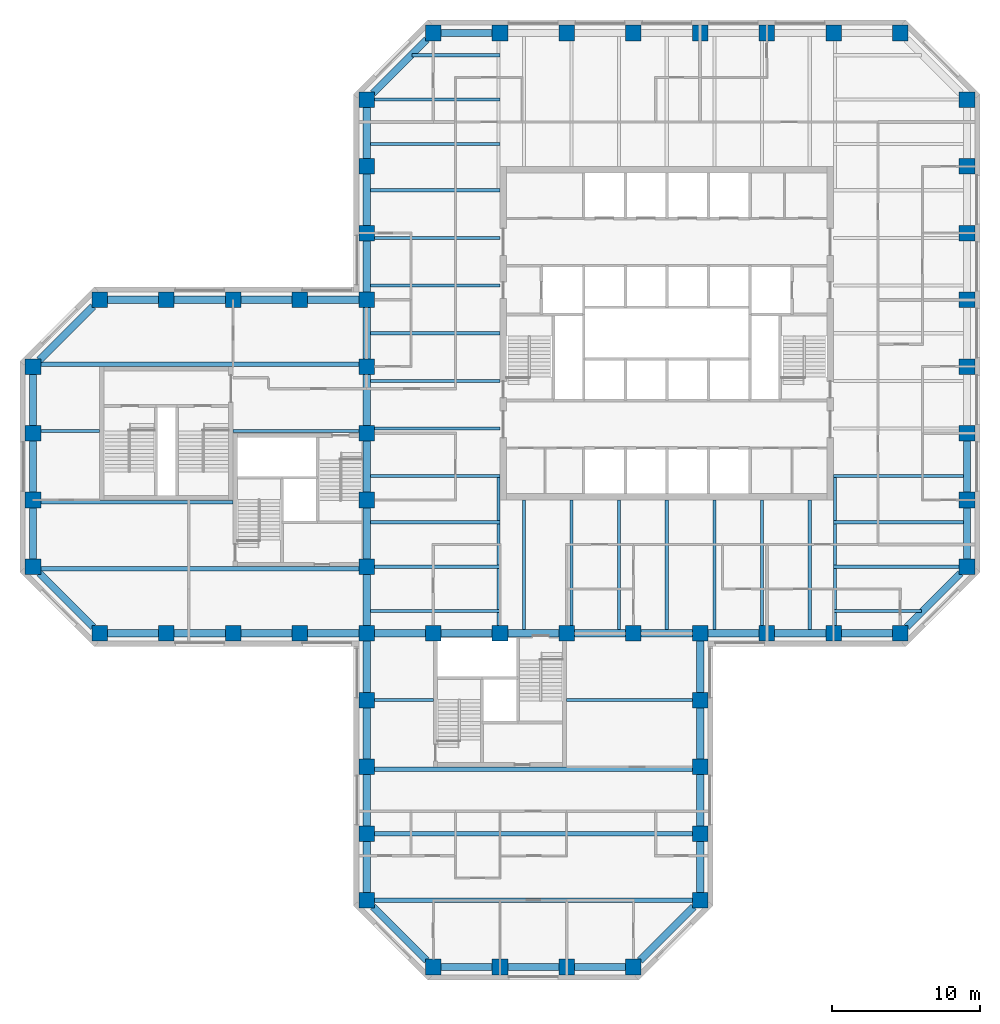
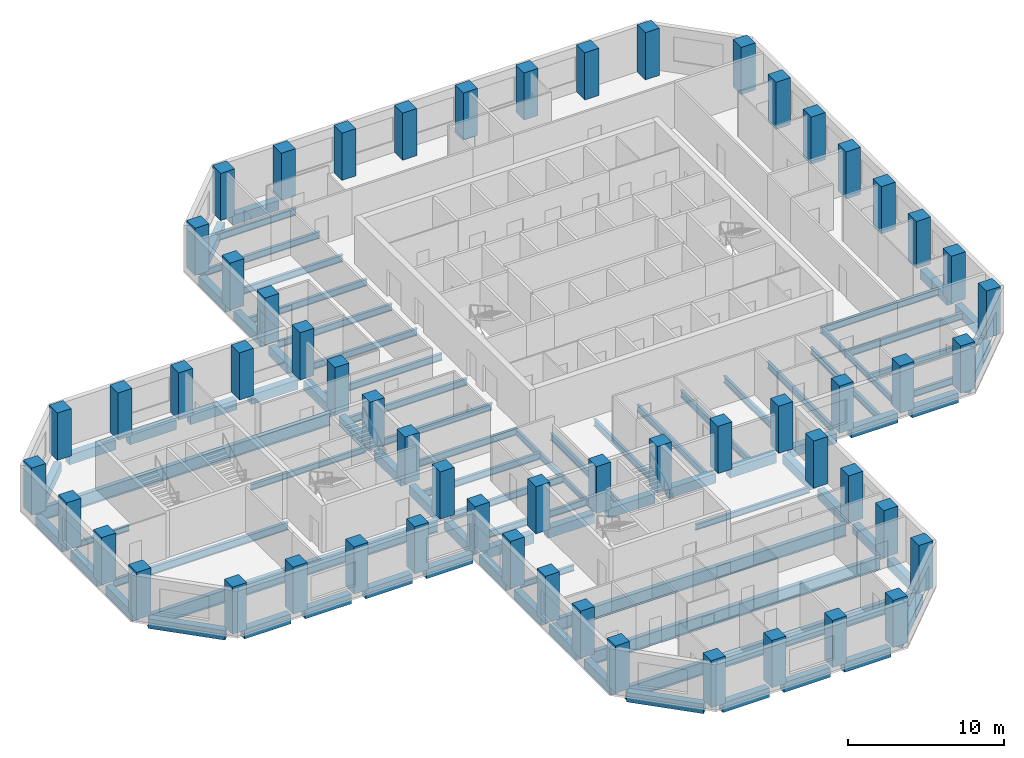
# One storey, part 1 of 11: 83 beams, 57 columns.
"""IFC4 building model written with IfcOpenShell, lengths in metres."""

from ifc_helpers import new_model, si_unit, direction, frame, origin, origin_2d, place, context, subcontext, project, spatial, rectangle, i_section, extrude, material, material_profile, profile_set, type_object, element, save


model = new_model("IFC4")

# Units and contexts
model_context = context("Model", 3, precision=1e-05, world=origin(), true_north=direction((0.0, 1.0)))
body_context = subcontext(model_context, "Body", "Model", "MODEL_VIEW")
ifc_project = project(units=[si_unit("LENGTHUNIT", "METRE"), si_unit("AREAUNIT", "SQUARE_METRE"), si_unit("VOLUMEUNIT", "CUBIC_METRE"), si_unit("PLANEANGLEUNIT", "RADIAN"), si_unit("MASSUNIT", "GRAM", prefix="KILO")], contexts=[model_context])

# Site, building, storey
site_placement = place(None, origin())
site = spatial("IfcSite", under=ifc_project, at=site_placement, CompositionType="ELEMENT")
building_placement = place(site_placement, origin())
building = spatial("IfcBuilding", under=site, at=building_placement, Name="Quoin Convention Tower", CompositionType="ELEMENT")
storey_placement = place(building_placement, frame((0.0, 0.0, 134.39990234375)))
storey = spatial("IfcBuildingStorey", under=building, at=storey_placement, Name="L35", CompositionType="ELEMENT", Elevation=134.39990234375)

# Columns
ifc_material_1 = material(Name="Concrete C65", Category="concrete")
ifc_material_profile_1 = material_profile(ifc_material_1, rectangle(XDim=1.050048828125, YDim=1.050048828125, at=origin_2d()), Name="RC 1050x1050")
ifc_profile_set_1 = profile_set([ifc_material_profile_1], Name="Concrete C65")
column_type = type_object("IfcColumnType", Name="RC 1050x1050 C65", PredefinedType="COLUMN", material=ifc_profile_set_1)
for number, where, z_axis, x_axis, name in (
    (1, (40.5, 18.0, 0.0), (0.0, 0.0, 1.0), (1.0, 0.0, 0.0), "col-L35-40500_18000"),
    (2, (45.0, 18.0, 0.0), (0.0, 0.0, 1.0), (1.0, 0.0, 0.0), "col-L35-45000_18000"),
    (3, (49.5, 18.0, 0.0), (0.0, 0.0, 1.0), (1.0, 0.0, 0.0), "col-L35-49500_18000"),
    (4, (54.0, 18.0, 0.0), (0.0, 0.0, 1.0), (1.0, 0.0, 0.0), "col-L35-54000_18000"),
    (5, (36.0, 22.5, 0.0), (0.0, 0.0, 1.0), (1.0, 0.0, 0.0), "col-L35-36000_22500"),
    (6, (58.5, 22.5, 0.0), (0.0, 0.0, 1.0), (1.0, 0.0, 0.0), "col-L35-58500_22500"),
    (7, (36.0, 27.0, 0.0), (0.0, 0.0, 1.0), (1.0, 0.0, 0.0), "col-L35-36000_27000"),
    (8, (58.5, 27.0, 0.0), (0.0, 0.0, 1.0), (1.0, 0.0, 0.0), "col-L35-58500_27000"),
    (9, (36.0, 31.5, 0.0), (0.0, 0.0, 1.0), (1.0, 0.0, 0.0), "col-L35-36000_31500"),
    (10, (58.5, 31.5, 0.0), (0.0, 0.0, 1.0), (1.0, 0.0, 0.0), "col-L35-58500_31500"),
    (11, (36.0, 36.0, 0.0), (0.0, 0.0, 1.0), (1.0, 0.0, 0.0), "col-L35-36000_36000"),
    (12, (58.5, 36.0, 0.0), (0.0, 0.0, 1.0), (1.0, 0.0, 0.0), "col-L35-58500_36000"),
    (13, (18.0, 40.5, 0.0), (0.0, 0.0, 1.0), (1.0, 0.0, 0.0), "col-L35-18000_40500"),
    (14, (22.5, 40.5, 0.0), (0.0, 0.0, 1.0), (1.0, 0.0, 0.0), "col-L35-22500_40500"),
    (15, (27.0, 40.5, 0.0), (0.0, 0.0, 1.0), (1.0, 0.0, 0.0), "col-L35-27000_40500"),
    (16, (31.5, 40.5, 0.0), (0.0, 0.0, 1.0), (1.0, 0.0, 0.0), "col-L35-31500_40500"),
    (17, (36.0, 40.5, 0.0), (0.0, 0.0, 1.0), (1.0, 0.0, 0.0), "col-L35-36000_40500"),
    (18, (40.5, 40.5, 0.0), (0.0, 0.0, 1.0), (1.0, 0.0, 0.0), "web-L35-40500_40500"),
    (19, (45.0, 40.5, 0.0), (0.0, 0.0, 1.0), (1.0, 0.0, 0.0), "web-L35-45000_40500"),
    (20, (49.5, 40.5, 0.0), (0.0, 0.0, 1.0), (1.0, 0.0, 0.0), "web-L35-49500_40500"),
    (21, (54.0, 40.5, 0.0), (0.0, 0.0, 1.0), (1.0, 0.0, 0.0), "web-L35-54000_40500"),
    (22, (58.5, 40.5, 0.0), (0.0, 0.0, 1.0), (1.0, 0.0, 0.0), "col-L35-58500_40500"),
    (23, (63.0, 40.5, 0.0), (0.0, 0.0, 1.0), (1.0, 0.0, 0.0), "col-L35-63000_40500"),
    (24, (67.5, 40.5, 0.0), (0.0, 0.0, 1.0), (1.0, 0.0, 0.0), "col-L35-67500_40500"),
    (25, (72.0, 40.5, 0.0), (0.0, 0.0, 1.0), (1.0, 0.0, 0.0), "col-L35-72000_40500"),
    (26, (13.5, 45.0, 0.0), (0.0, 0.0, 1.0), (1.0, 0.0, 0.0), "col-L35-13500_45000"),
    (27, (36.0, 45.0, 0.0), (0.0, 0.0, 1.0), (1.0, 0.0, 0.0), "web-L35-36000_45000"),
    (28, (76.5, 45.0, 0.0), (0.0, 0.0, 1.0), (1.0, 0.0, 0.0), "col-L35-76500_45000"),
    (29, (13.5, 49.5, 0.0), (0.0, 0.0, 1.0), (1.0, 0.0, 0.0), "col-L35-13500_49500"),
    (30, (36.0, 49.5, 0.0), (0.0, 0.0, 1.0), (1.0, 0.0, 0.0), "web-L35-36000_49500"),
    (31, (76.5, 49.5, 0.0), (0.0, 0.0, 1.0), (1.0, 0.0, 0.0), "col-L35-76500_49500"),
    (32, (13.5, 54.0, 0.0), (0.0, 0.0, 1.0), (1.0, 0.0, 0.0), "col-L35-13500_54000"),
    (33, (36.0, 54.0, 0.0), (0.0, 0.0, 1.0), (1.0, 0.0, 0.0), "web-L35-36000_54000"),
    (34, (76.5, 54.0, 0.0), (0.0, 0.0, 1.0), (1.0, 0.0, 0.0), "col-L35-76500_54000"),
    (35, (13.5, 58.5, 0.0), (0.0, 0.0, 1.0), (1.0, 0.0, 0.0), "col-L35-13500_58500"),
    (36, (36.0, 58.5, 0.0), (0.0, 0.0, 1.0), (1.0, 0.0, 0.0), "web-L35-36000_58500"),
    (37, (76.5, 58.5, 0.0), (0.0, 0.0, 1.0), (1.0, 0.0, 0.0), "col-L35-76500_58500"),
    (38, (18.0, 63.0, 0.0), (0.0, 0.0, 1.0), (1.0, 0.0, 0.0), "col-L35-18000_63000"),
    (39, (22.5, 63.0, 0.0), (0.0, 0.0, 1.0), (1.0, 0.0, 0.0), "col-L35-22500_63000"),
    (40, (27.0, 63.0, 0.0), (0.0, 0.0, 1.0), (1.0, 0.0, 0.0), "col-L35-27000_63000"),
    (41, (31.5, 63.0, 0.0), (0.0, 0.0, 1.0), (1.0, 0.0, 0.0), "col-L35-31500_63000"),
    (42, (36.0, 63.0, 0.0), (0.0, 0.0, 1.0), (1.0, 0.0, 0.0), "col-L35-36000_63000"),
    (43, (76.5, 63.0, 0.0), (0.0, 0.0, 1.0), (1.0, 0.0, 0.0), "col-L35-76500_63000"),
    (44, (36.0, 67.5, 0.0), (0.0, 0.0, 1.0), (1.0, 0.0, 0.0), "col-L35-36000_67500"),
    (45, (76.5, 67.5, 0.0), (0.0, 0.0, 1.0), (1.0, 0.0, 0.0), "col-L35-76500_67500"),
    (46, (36.0, 72.0, 0.0), (0.0, 0.0, 1.0), (1.0, 0.0, 0.0), "col-L35-36000_72000"),
    (47, (76.5, 72.0, 0.0), (0.0, 0.0, 1.0), (1.0, 0.0, 0.0), "col-L35-76500_72000"),
    (48, (36.0, 76.5, 0.0), (0.0, 0.0, 1.0), (1.0, 0.0, 0.0), "col-L35-36000_76500"),
    (49, (76.5, 76.5, 0.0), (0.0, 0.0, 1.0), (1.0, 0.0, 0.0), "col-L35-76500_76500"),
    (50, (40.5, 81.0, 0.0), (0.0, 0.0, 1.0), (1.0, 0.0, 0.0), "col-L35-40500_81000"),
    (51, (45.0, 81.0, 0.0), (0.0, 0.0, 1.0), (1.0, 0.0, 0.0), "col-L35-45000_81000"),
    (52, (49.5, 81.0, 0.0), (0.0, 0.0, 1.0), (1.0, 0.0, 0.0), "col-L35-49500_81000"),
    (53, (54.0, 81.0, 0.0), (0.0, 0.0, 1.0), (1.0, 0.0, 0.0), "col-L35-54000_81000"),
    (54, (58.5, 81.0, 0.0), (0.0, 0.0, 1.0), (1.0, 0.0, 0.0), "col-L35-58500_81000"),
    (55, (63.0, 81.0, 0.0), (0.0, 0.0, 1.0), (1.0, 0.0, 0.0), "col-L35-63000_81000"),
    (56, (67.5, 81.0, 0.0), (0.0, 0.0, 1.0), (1.0, 0.0, 0.0), "col-L35-67500_81000"),
    (57, (72.0, 81.0, 0.0), (0.0, 0.0, 1.0), (1.0, 0.0, 0.0), "col-L35-72000_81000"),
):
    element("IfcColumn", number, at=place(storey_placement, frame(where, z_axis=z_axis, x_axis=x_axis)), inside=storey, type_object=column_type, Name=name, PredefinedType="COLUMN", context=body_context, shape_type="SweptSolid", body=[
        extrude(rectangle(XDim=1.050048828125, YDim=1.050048828125, at=origin_2d()), origin(), (0.0, 0.0, 1.0), 3.7001953125),
    ])

# Beams
ifc_material_2 = material(Name="Steel Grade 300", Category="steel")
ifc_material_profile_2 = material_profile(ifc_material_2, i_section(OverallWidth=0.300048828125, OverallDepth=1.0, WebThickness=0.01611328125, FlangeThickness=0.02001953125, at=origin_2d()), Name="1000WB215")
ifc_profile_set_2 = profile_set([ifc_material_profile_2], Name="Steel Grade 300")
beam_type_1 = type_object("IfcBeamType", Name="1000WB215", PredefinedType="BEAM", material=ifc_profile_set_2)
for number, where, z_axis, x_axis, name in (
    (58, (36.52490234375, 22.5, -0.64990234375), (1.0, 0.0, 0.0), (0.0, 1.0, 0.0), "gir-L35-ST3-1-0"),
    (59, (36.52490234375, 27.0, -0.64990234375), (1.0, 0.0, 0.0), (0.0, 1.0, 0.0), "gir-L35-ST3-2-0"),
    (60, (36.52490234375, 31.35009765625, -0.64990234375), (1.0, 0.0, 0.0), (0.0, 1.0, 0.0), "gir-L35-ST3-3-0"),
    (61, (14.02490234375, 44.85009765625, -0.64990234375), (1.0, 0.0, 0.0), (0.0, 1.0, 0.0), "gir-L35-ST2-1-0"),
    (62, (14.02490234375, 58.64990234375, -0.64990234375), (1.0, 0.0, 0.0), (0.0, 1.0, 0.0), "gir-L35-ST2-4-0"),
):
    element("IfcBeam", number, at=place(storey_placement, frame(where, z_axis=z_axis, x_axis=x_axis)), inside=storey, type_object=beam_type_1, Name=name, PredefinedType="BEAM", context=body_context, shape_type="SweptSolid", body=[
        extrude(i_section(OverallWidth=0.300048828125, OverallDepth=1.0, WebThickness=0.01611328125, FlangeThickness=0.02001953125, at=origin_2d()), origin(), (0.0, 0.0, 1.0), 21.4501953125),
    ])
ifc_material_profile_3 = material_profile(ifc_material_2, i_section(OverallWidth=0.18994140625, OverallDepth=0.4541015625, WebThickness=0.008544921875, FlangeThickness=0.0126953125, FilletRadius=0.011474609375, at=origin_2d()), Name="460UB67.1")
ifc_profile_set_3 = profile_set([ifc_material_profile_3], Name="Steel Grade 300")
beam_type_2 = type_object("IfcBeamType", Name="460UB67.1", PredefinedType="BEAM", material=ifc_profile_set_3)
for number, where, z_axis, x_axis, name in (
    (63, (44.8955078125, 41.02490234375, -0.376953125), (0.0, 1.0, 0.0), (-1.0, 0.0, 0.0), "gir-L35-T1SW"),
    (64, (67.6044921875, 41.02490234375, -0.376953125), (0.0, 1.0, 0.0), (-1.0, 0.0, 0.0), "gir-L35-T1SE"),
):
    element("IfcBeam", number, at=place(storey_placement, frame(where, z_axis=z_axis, x_axis=x_axis)), inside=storey, type_object=beam_type_2, Name=name, PredefinedType="BEAM", context=body_context, shape_type="SweptSolid", body=[
        extrude(i_section(OverallWidth=0.18994140625, OverallDepth=0.4541015625, WebThickness=0.008544921875, FlangeThickness=0.0126953125, FilletRadius=0.011474609375, at=origin_2d()), origin(), (0.0, 0.0, 1.0), 9.977783203125),
    ])
beam_1_placement = place(storey_placement, frame((36.52490234375, 36.0, -0.376953125), z_axis=(1.0, 0.0, 0.0), x_axis=(0.0, 1.0, 0.0)))
element("IfcBeam", 65, at=beam_1_placement, inside=storey, type_object=beam_type_2, Name="gir-L35-ST3-4-0", PredefinedType="BEAM", context=body_context, shape_type="SweptSolid", body=[
    extrude(i_section(OverallWidth=0.18994140625, OverallDepth=0.4541015625, WebThickness=0.008544921875, FlangeThickness=0.0126953125, FilletRadius=0.011474609375, at=origin_2d()), origin(), (0.0, 0.0, 1.0), 3.97509765625),
])
beam_2_placement = place(storey_placement, frame((49.5, 36.0, -0.376953125), z_axis=(1.0, 0.0, 0.0), x_axis=(0.0, 1.0, 0.0)))
element("IfcBeam", 66, at=beam_2_placement, inside=storey, type_object=beam_type_2, Name="gir-L35-ST3-4-1", PredefinedType="BEAM", context=body_context, shape_type="SweptSolid", body=[
    extrude(i_section(OverallWidth=0.18994140625, OverallDepth=0.4541015625, WebThickness=0.008544921875, FlangeThickness=0.0126953125, FilletRadius=0.011474609375, at=origin_2d()), origin(), (0.0, 0.0, 1.0), 8.47509765625),
])
beam_3_placement = place(storey_placement, frame((14.02490234375, 54.14990234375, -0.376953125), z_axis=(1.0, 0.0, 0.0), x_axis=(0.0, 1.0, 0.0)))
element("IfcBeam", 67, at=beam_3_placement, inside=storey, type_object=beam_type_2, Name="gir-L35-ST2-3-0", PredefinedType="BEAM", context=body_context, shape_type="SweptSolid", body=[
    extrude(i_section(OverallWidth=0.18994140625, OverallDepth=0.4541015625, WebThickness=0.008544921875, FlangeThickness=0.0126953125, FilletRadius=0.011474609375, at=origin_2d()), origin(), (0.0, 0.0, 1.0), 3.97509765625),
])
beam_4_placement = place(storey_placement, frame((27.0, 54.14990234375, -0.376953125), z_axis=(1.0, 0.0, 0.0), x_axis=(0.0, 1.0, 0.0)))
element("IfcBeam", 68, at=beam_4_placement, inside=storey, type_object=beam_type_2, Name="gir-L35-ST2-3-1", PredefinedType="BEAM", context=body_context, shape_type="SweptSolid", body=[
    extrude(i_section(OverallWidth=0.18994140625, OverallDepth=0.4541015625, WebThickness=0.008544921875, FlangeThickness=0.0126953125, FilletRadius=0.011474609375, at=origin_2d()), origin(), (0.0, 0.0, 1.0), 8.47509765625),
])
ifc_material_profile_4 = material_profile(ifc_material_2, i_section(OverallWidth=0.208984375, OverallDepth=0.528076171875, WebThickness=0.009521484375, FlangeThickness=0.01318359375, FilletRadius=0.013916015625, at=origin_2d()), Name="530UB82.0")
ifc_profile_set_4 = profile_set([ifc_material_profile_4], Name="Steel Grade 300")
beam_type_3 = type_object("IfcBeamType", Name="530UB82.0", PredefinedType="BEAM", material=ifc_profile_set_4)
beam_5_placement = place(storey_placement, frame((36.25, 51.107177734375, -0.413818359375), z_axis=(1.0, 0.0, 0.0), x_axis=(0.0, 1.0, 0.0)))
element("IfcBeam", 69, at=beam_5_placement, inside=storey, type_object=beam_type_3, Name="bm-L35-T1W0", PredefinedType="BEAM", context=body_context, shape_type="SweptSolid", body=[
    extrude(i_section(OverallWidth=0.208984375, OverallDepth=0.528076171875, WebThickness=0.009521484375, FlangeThickness=0.01318359375, FilletRadius=0.013916015625, at=origin_2d()), origin(), (0.0, 0.0, 1.0), 8.75),
])
beam_6_placement = place(storey_placement, frame((36.52490234375, 54.3212890625, -0.413818359375), z_axis=(1.0, 0.0, 0.0), x_axis=(0.0, 1.0, 0.0)))
element("IfcBeam", 70, at=beam_6_placement, inside=storey, type_object=beam_type_3, Name="bm-L35-T1W1", PredefinedType="BEAM", context=body_context, shape_type="SweptSolid", body=[
    extrude(i_section(OverallWidth=0.208984375, OverallDepth=0.528076171875, WebThickness=0.009521484375, FlangeThickness=0.01318359375, FilletRadius=0.013916015625, at=origin_2d()), origin(), (0.0, 0.0, 1.0), 8.47509765625),
])
for number, where, z_axis, x_axis, name in (
    (71, (36.25, 57.53564453125, -0.413818359375), (1.0, 0.0, 0.0), (0.0, 1.0, 0.0), "bm-L35-T1W2"),
    (72, (36.25, 60.75, -0.413818359375), (1.0, 0.0, 0.0), (0.0, 1.0, 0.0), "bm-L35-T1W3"),
    (73, (36.25, 63.96435546875, -0.413818359375), (1.0, 0.0, 0.0), (0.0, 1.0, 0.0), "bm-L35-T1W4"),
):
    element("IfcBeam", number, at=place(storey_placement, frame(where, z_axis=z_axis, x_axis=x_axis)), inside=storey, type_object=beam_type_3, Name=name, PredefinedType="BEAM", context=body_context, shape_type="SweptSolid", body=[
        extrude(i_section(OverallWidth=0.208984375, OverallDepth=0.528076171875, WebThickness=0.009521484375, FlangeThickness=0.01318359375, FilletRadius=0.013916015625, at=origin_2d()), origin(), (0.0, 0.0, 1.0), 8.75),
    ])
beam_7_placement = place(storey_placement, frame((36.52490234375, 67.1787109375, -0.413818359375), z_axis=(1.0, 0.0, 0.0), x_axis=(0.0, 1.0, 0.0)))
element("IfcBeam", 74, at=beam_7_placement, inside=storey, type_object=beam_type_3, Name="bm-L35-T1W5", PredefinedType="BEAM", context=body_context, shape_type="SweptSolid", body=[
    extrude(i_section(OverallWidth=0.208984375, OverallDepth=0.528076171875, WebThickness=0.009521484375, FlangeThickness=0.01318359375, FilletRadius=0.013916015625, at=origin_2d()), origin(), (0.0, 0.0, 1.0), 8.47509765625),
])
for number, where, z_axis, x_axis, name in (
    (75, (36.25, 70.392822265625, -0.413818359375), (1.0, 0.0, 0.0), (0.0, 1.0, 0.0), "bm-L35-T1W6"),
    (76, (67.5, 51.107177734375, -0.413818359375), (1.0, 0.0, 0.0), (0.0, 1.0, 0.0), "bm-L35-T1E0"),
    (77, (46.607177734375, 40.75, -0.413818359375), (0.0, 1.0, 0.0), (-1.0, 0.0, 0.0), "bm-L35-T1S0"),
):
    element("IfcBeam", number, at=place(storey_placement, frame(where, z_axis=z_axis, x_axis=x_axis)), inside=storey, type_object=beam_type_3, Name=name, PredefinedType="BEAM", context=body_context, shape_type="SweptSolid", body=[
        extrude(i_section(OverallWidth=0.208984375, OverallDepth=0.528076171875, WebThickness=0.009521484375, FlangeThickness=0.01318359375, FilletRadius=0.013916015625, at=origin_2d()), origin(), (0.0, 0.0, 1.0), 8.75),
    ])
beam_8_placement = place(storey_placement, frame((49.8212890625, 41.02490234375, -0.413818359375), z_axis=(0.0, 1.0, 0.0), x_axis=(-1.0, 0.0, 0.0)))
element("IfcBeam", 78, at=beam_8_placement, inside=storey, type_object=beam_type_3, Name="bm-L35-T1S1", PredefinedType="BEAM", context=body_context, shape_type="SweptSolid", body=[
    extrude(i_section(OverallWidth=0.208984375, OverallDepth=0.528076171875, WebThickness=0.009521484375, FlangeThickness=0.01318359375, FilletRadius=0.013916015625, at=origin_2d()), origin(), (0.0, 0.0, 1.0), 8.47509765625),
])
for number, where, z_axis, x_axis, name in (
    (79, (53.03564453125, 40.75, -0.413818359375), (0.0, 1.0, 0.0), (-1.0, 0.0, 0.0), "bm-L35-T1S2"),
    (80, (56.25, 40.75, -0.413818359375), (0.0, 1.0, 0.0), (-1.0, 0.0, 0.0), "bm-L35-T1S3"),
    (81, (59.46435546875, 40.75, -0.413818359375), (0.0, 1.0, 0.0), (-1.0, 0.0, 0.0), "bm-L35-T1S4"),
):
    element("IfcBeam", number, at=place(storey_placement, frame(where, z_axis=z_axis, x_axis=x_axis)), inside=storey, type_object=beam_type_3, Name=name, PredefinedType="BEAM", context=body_context, shape_type="SweptSolid", body=[
        extrude(i_section(OverallWidth=0.208984375, OverallDepth=0.528076171875, WebThickness=0.009521484375, FlangeThickness=0.01318359375, FilletRadius=0.013916015625, at=origin_2d()), origin(), (0.0, 0.0, 1.0), 8.75),
    ])
beam_9_placement = place(storey_placement, frame((62.6787109375, 41.02490234375, -0.413818359375), z_axis=(0.0, 1.0, 0.0), x_axis=(-1.0, 0.0, 0.0)))
element("IfcBeam", 82, at=beam_9_placement, inside=storey, type_object=beam_type_3, Name="bm-L35-T1S5", PredefinedType="BEAM", context=body_context, shape_type="SweptSolid", body=[
    extrude(i_section(OverallWidth=0.208984375, OverallDepth=0.528076171875, WebThickness=0.009521484375, FlangeThickness=0.01318359375, FilletRadius=0.013916015625, at=origin_2d()), origin(), (0.0, 0.0, 1.0), 8.47509765625),
])
for number, where, z_axis, x_axis, name in (
    (83, (65.892822265625, 40.75, -0.413818359375), (0.0, 1.0, 0.0), (-1.0, 0.0, 0.0), "bm-L35-T1S6"),
    (84, (36.25, 42.0, -0.413818359375), (1.0, 0.0, 0.0), (0.0, 1.0, 0.0), "bm-L35-T1SW0"),
):
    element("IfcBeam", number, at=place(storey_placement, frame(where, z_axis=z_axis, x_axis=x_axis)), inside=storey, type_object=beam_type_3, Name=name, PredefinedType="BEAM", context=body_context, shape_type="SweptSolid", body=[
        extrude(i_section(OverallWidth=0.208984375, OverallDepth=0.528076171875, WebThickness=0.009521484375, FlangeThickness=0.01318359375, FilletRadius=0.013916015625, at=origin_2d()), origin(), (0.0, 0.0, 1.0), 8.75),
    ])
beam_10_placement = place(storey_placement, frame((36.52490234375, 45.0, -0.413818359375), z_axis=(1.0, 0.0, 0.0), x_axis=(0.0, 1.0, 0.0)))
element("IfcBeam", 85, at=beam_10_placement, inside=storey, type_object=beam_type_3, Name="bm-L35-T1SW1", PredefinedType="BEAM", context=body_context, shape_type="SweptSolid", body=[
    extrude(i_section(OverallWidth=0.208984375, OverallDepth=0.528076171875, WebThickness=0.009521484375, FlangeThickness=0.01318359375, FilletRadius=0.013916015625, at=origin_2d()), origin(), (0.0, 0.0, 1.0), 8.47509765625),
])
beam_11_placement = place(storey_placement, frame((36.25, 48.0, -0.413818359375), z_axis=(1.0, 0.0, 0.0), x_axis=(0.0, 1.0, 0.0)))
element("IfcBeam", 86, at=beam_11_placement, inside=storey, type_object=beam_type_3, Name="bm-L35-T1SW2", PredefinedType="BEAM", context=body_context, shape_type="SweptSolid", body=[
    extrude(i_section(OverallWidth=0.208984375, OverallDepth=0.528076171875, WebThickness=0.009521484375, FlangeThickness=0.01318359375, FilletRadius=0.013916015625, at=origin_2d()), origin(), (0.0, 0.0, 1.0), 8.75),
])
beam_12_placement = place(storey_placement, frame((67.5, 42.0, -0.413818359375), z_axis=(1.0, 0.0, 0.0), x_axis=(0.0, 1.0, 0.0)))
element("IfcBeam", 87, at=beam_12_placement, inside=storey, type_object=beam_type_3, Name="bm-L35-T1SE0", PredefinedType="BEAM", context=body_context, shape_type="SweptSolid", body=[
    extrude(i_section(OverallWidth=0.208984375, OverallDepth=0.528076171875, WebThickness=0.009521484375, FlangeThickness=0.01318359375, FilletRadius=0.013916015625, at=origin_2d()), origin(), (0.0, 0.0, 1.0), 5.927734375),
])
beam_13_placement = place(storey_placement, frame((67.5, 45.0, -0.413818359375), z_axis=(1.0, 0.0, 0.0), x_axis=(0.0, 1.0, 0.0)))
element("IfcBeam", 88, at=beam_13_placement, inside=storey, type_object=beam_type_3, Name="bm-L35-T1SE1", PredefinedType="BEAM", context=body_context, shape_type="SweptSolid", body=[
    extrude(i_section(OverallWidth=0.208984375, OverallDepth=0.528076171875, WebThickness=0.009521484375, FlangeThickness=0.01318359375, FilletRadius=0.013916015625, at=origin_2d()), origin(), (0.0, 0.0, 1.0), 8.47509765625),
])
beam_14_placement = place(storey_placement, frame((67.5, 48.0, -0.413818359375), z_axis=(1.0, 0.0, 0.0), x_axis=(0.0, 1.0, 0.0)))
element("IfcBeam", 89, at=beam_14_placement, inside=storey, type_object=beam_type_3, Name="bm-L35-T1SE2", PredefinedType="BEAM", context=body_context, shape_type="SweptSolid", body=[
    extrude(i_section(OverallWidth=0.208984375, OverallDepth=0.528076171875, WebThickness=0.009521484375, FlangeThickness=0.01318359375, FilletRadius=0.013916015625, at=origin_2d()), origin(), (0.0, 0.0, 1.0), 8.75),
])
beam_15_placement = place(storey_placement, frame((39.072265625, 79.5, -0.413818359375), z_axis=(1.0, 0.0, 0.0), x_axis=(0.0, 1.0, 0.0)))
element("IfcBeam", 90, at=beam_15_placement, inside=storey, type_object=beam_type_3, Name="bm-L35-T1NW0", PredefinedType="BEAM", context=body_context, shape_type="SweptSolid", body=[
    extrude(i_section(OverallWidth=0.208984375, OverallDepth=0.528076171875, WebThickness=0.009521484375, FlangeThickness=0.01318359375, FilletRadius=0.013916015625, at=origin_2d()), origin(), (0.0, 0.0, 1.0), 5.927734375),
])
beam_16_placement = place(storey_placement, frame((36.52490234375, 76.5, -0.413818359375), z_axis=(1.0, 0.0, 0.0), x_axis=(0.0, 1.0, 0.0)))
element("IfcBeam", 91, at=beam_16_placement, inside=storey, type_object=beam_type_3, Name="bm-L35-T1NW1", PredefinedType="BEAM", context=body_context, shape_type="SweptSolid", body=[
    extrude(i_section(OverallWidth=0.208984375, OverallDepth=0.528076171875, WebThickness=0.009521484375, FlangeThickness=0.01318359375, FilletRadius=0.013916015625, at=origin_2d()), origin(), (0.0, 0.0, 1.0), 8.47509765625),
])
beam_17_placement = place(storey_placement, frame((36.25, 73.5, -0.413818359375), z_axis=(1.0, 0.0, 0.0), x_axis=(0.0, 1.0, 0.0)))
element("IfcBeam", 92, at=beam_17_placement, inside=storey, type_object=beam_type_3, Name="bm-L35-T1NW2", PredefinedType="BEAM", context=body_context, shape_type="SweptSolid", body=[
    extrude(i_section(OverallWidth=0.208984375, OverallDepth=0.528076171875, WebThickness=0.009521484375, FlangeThickness=0.01318359375, FilletRadius=0.013916015625, at=origin_2d()), origin(), (0.0, 0.0, 1.0), 8.75),
])
ifc_material_profile_5 = material_profile(ifc_material_2, i_section(OverallWidth=0.22802734375, OverallDepth=0.60205078125, WebThickness=0.010498046875, FlangeThickness=0.014892578125, FilletRadius=0.013916015625, at=origin_2d()), Name="610UB101")
ifc_profile_set_5 = profile_set([ifc_material_profile_5], Name="Steel Grade 300")
beam_type_4 = type_object("IfcBeamType", Name="610UB101", PredefinedType="BEAM", material=ifc_profile_set_5)
beam_18_placement = place(storey_placement, frame((14.02490234375, 49.35009765625, -0.450927734375), z_axis=(1.0, 0.0, 0.0), x_axis=(0.0, 1.0, 0.0)))
element("IfcBeam", 93, at=beam_18_placement, inside=storey, type_object=beam_type_4, Name="gir-L35-ST2-2-0", PredefinedType="BEAM", context=body_context, shape_type="SweptSolid", body=[
    extrude(i_section(OverallWidth=0.22802734375, OverallDepth=0.60205078125, WebThickness=0.010498046875, FlangeThickness=0.014892578125, FilletRadius=0.013916015625, at=origin_2d()), origin(), (0.0, 0.0, 1.0), 12.97509765625),
])
ifc_material_profile_6 = material_profile(ifc_material_1, rectangle(XDim=0.5, YDim=0.75, at=origin_2d()), Name="RC 500x750")
ifc_profile_set_6 = profile_set([ifc_material_profile_6], Name="Concrete C65")
beam_type_5 = type_object("IfcBeamType", Name="RC 500x750 C65", PredefinedType="SPANDREL", material=ifc_profile_set_6)
for number, where, z_axis, x_axis, name in (
    (94, (59.02490234375, 40.5, -0.52490234375), (1.0, 0.0, 0.0), (0.0, 1.0, 0.0), "spd-L35-58500_40500-63000_40500"),
    (95, (63.52490234375, 40.5, -0.52490234375), (1.0, 0.0, 0.0), (0.0, 1.0, 0.0), "spd-L35-63000_40500-67500_40500"),
    (96, (68.02490234375, 40.5, -0.52490234375), (1.0, 0.0, 0.0), (0.0, 1.0, 0.0), "spd-L35-67500_40500-72000_40500"),
):
    element("IfcBeam", number, at=place(storey_placement, frame(where, z_axis=z_axis, x_axis=x_axis)), inside=storey, type_object=beam_type_5, Name=name, PredefinedType="SPANDREL", context=body_context, shape_type="SweptSolid", body=[
        extrude(rectangle(XDim=0.5, YDim=0.75, at=origin_2d()), origin(), (0.0, 0.0, 1.0), 3.4501953125),
    ])
beam_19_placement = place(storey_placement, frame((72.440185546875, 40.940185546875, -0.52490234375), z_axis=(0.707106781187, 0.707106781187, 0.0), x_axis=(-0.707106781187, 0.707106781187, 0.0)))
element("IfcBeam", 97, at=beam_19_placement, inside=storey, type_object=beam_type_5, Name="spd-L35-72000_40500-76500_45000", PredefinedType="SPANDREL", context=body_context, shape_type="SweptSolid", body=[
    extrude(rectangle(XDim=0.5, YDim=0.75, at=origin_2d()), origin(), (0.0, 0.0, 1.0), 5.118896484375),
])
for number, where, z_axis, x_axis, name in (
    (98, (76.5, 45.52490234375, -0.52490234375), (0.0, 1.0, 0.0), (-1.0, 0.0, 0.0), "spd-L35-76500_45000-76500_49500"),
    (99, (76.5, 50.02490234375, -0.52490234375), (0.0, 1.0, 0.0), (-1.0, 0.0, 0.0), "spd-L35-76500_49500-76500_54000"),
    (100, (44.47509765625, 81.0, -0.52490234375), (-1.0, 0.0, 0.0), (0.0, -1.0, 0.0), "spd-L35-45000_81000-40500_81000"),
):
    element("IfcBeam", number, at=place(storey_placement, frame(where, z_axis=z_axis, x_axis=x_axis)), inside=storey, type_object=beam_type_5, Name=name, PredefinedType="SPANDREL", context=body_context, shape_type="SweptSolid", body=[
        extrude(rectangle(XDim=0.5, YDim=0.75, at=origin_2d()), origin(), (0.0, 0.0, 1.0), 3.4501953125),
    ])
beam_20_placement = place(storey_placement, frame((40.059814453125, 80.559814453125, -0.52490234375), z_axis=(-0.707106781187, -0.707106781187, 0.0), x_axis=(0.707106781187, -0.707106781187, 0.0)))
element("IfcBeam", 101, at=beam_20_placement, inside=storey, type_object=beam_type_5, Name="spd-L35-40500_81000-36000_76500", PredefinedType="SPANDREL", context=body_context, shape_type="SweptSolid", body=[
    extrude(rectangle(XDim=0.5, YDim=0.75, at=origin_2d()), origin(), (0.0, 0.0, 1.0), 5.118896484375),
])
for number, where, z_axis, x_axis, name in (
    (102, (36.0, 75.97509765625, -0.52490234375), (0.0, -1.0, 0.0), (1.0, 0.0, 0.0), "spd-L35-36000_76500-36000_72000"),
    (103, (36.0, 71.47509765625, -0.52490234375), (0.0, -1.0, 0.0), (1.0, 0.0, 0.0), "spd-L35-36000_72000-36000_67500"),
    (104, (36.0, 66.97509765625, -0.52490234375), (0.0, -1.0, 0.0), (1.0, 0.0, 0.0), "spd-L35-36000_67500-36000_63000"),
    (105, (35.47509765625, 63.0, -0.52490234375), (-1.0, 0.0, 0.0), (0.0, -1.0, 0.0), "spd-L35-36000_63000-31500_63000"),
    (106, (30.97509765625, 63.0, -0.52490234375), (-1.0, 0.0, 0.0), (0.0, -1.0, 0.0), "spd-L35-31500_63000-27000_63000"),
    (107, (26.47509765625, 63.0, -0.52490234375), (-1.0, 0.0, 0.0), (0.0, -1.0, 0.0), "spd-L35-27000_63000-22500_63000"),
    (108, (21.97509765625, 63.0, -0.52490234375), (-1.0, 0.0, 0.0), (0.0, -1.0, 0.0), "spd-L35-22500_63000-18000_63000"),
):
    element("IfcBeam", number, at=place(storey_placement, frame(where, z_axis=z_axis, x_axis=x_axis)), inside=storey, type_object=beam_type_5, Name=name, PredefinedType="SPANDREL", context=body_context, shape_type="SweptSolid", body=[
        extrude(rectangle(XDim=0.5, YDim=0.75, at=origin_2d()), origin(), (0.0, 0.0, 1.0), 3.4501953125),
    ])
beam_21_placement = place(storey_placement, frame((17.559814453125, 62.559814453125, -0.52490234375), z_axis=(-0.707106781187, -0.707106781187, 0.0), x_axis=(0.707106781187, -0.707106781187, 0.0)))
element("IfcBeam", 109, at=beam_21_placement, inside=storey, type_object=beam_type_5, Name="spd-L35-18000_63000-13500_58500", PredefinedType="SPANDREL", context=body_context, shape_type="SweptSolid", body=[
    extrude(rectangle(XDim=0.5, YDim=0.75, at=origin_2d()), origin(), (0.0, 0.0, 1.0), 5.118896484375),
])
for number, where, z_axis, x_axis, name in (
    (110, (13.5, 57.97509765625, -0.52490234375), (0.0, -1.0, 0.0), (1.0, 0.0, 0.0), "spd-L35-13500_58500-13500_54000"),
    (111, (13.5, 53.47509765625, -0.52490234375), (0.0, -1.0, 0.0), (1.0, 0.0, 0.0), "spd-L35-13500_54000-13500_49500"),
    (112, (13.5, 48.97509765625, -0.52490234375), (0.0, -1.0, 0.0), (1.0, 0.0, 0.0), "spd-L35-13500_49500-13500_45000"),
):
    element("IfcBeam", number, at=place(storey_placement, frame(where, z_axis=z_axis, x_axis=x_axis)), inside=storey, type_object=beam_type_5, Name=name, PredefinedType="SPANDREL", context=body_context, shape_type="SweptSolid", body=[
        extrude(rectangle(XDim=0.5, YDim=0.75, at=origin_2d()), origin(), (0.0, 0.0, 1.0), 3.4501953125),
    ])
beam_22_placement = place(storey_placement, frame((13.940185546875, 44.559814453125, -0.52490234375), z_axis=(0.707106781187, -0.707106781187, 0.0), x_axis=(0.707106781187, 0.707106781187, 0.0)))
element("IfcBeam", 113, at=beam_22_placement, inside=storey, type_object=beam_type_5, Name="spd-L35-13500_45000-18000_40500", PredefinedType="SPANDREL", context=body_context, shape_type="SweptSolid", body=[
    extrude(rectangle(XDim=0.5, YDim=0.75, at=origin_2d()), origin(), (0.0, 0.0, 1.0), 5.118896484375),
])
for number, where, z_axis, x_axis, name in (
    (114, (18.52490234375, 40.5, -0.52490234375), (1.0, 0.0, 0.0), (0.0, 1.0, 0.0), "spd-L35-18000_40500-22500_40500"),
    (115, (23.02490234375, 40.5, -0.52490234375), (1.0, 0.0, 0.0), (0.0, 1.0, 0.0), "spd-L35-22500_40500-27000_40500"),
    (116, (27.52490234375, 40.5, -0.52490234375), (1.0, 0.0, 0.0), (0.0, 1.0, 0.0), "spd-L35-27000_40500-31500_40500"),
    (117, (32.02490234375, 40.5, -0.52490234375), (1.0, 0.0, 0.0), (0.0, 1.0, 0.0), "spd-L35-31500_40500-36000_40500"),
    (118, (36.0, 39.97509765625, -0.52490234375), (0.0, -1.0, 0.0), (1.0, 0.0, 0.0), "spd-L35-36000_40500-36000_36000"),
    (119, (36.0, 35.47509765625, -0.52490234375), (0.0, -1.0, 0.0), (1.0, 0.0, 0.0), "spd-L35-36000_36000-36000_31500"),
    (120, (36.0, 30.97509765625, -0.52490234375), (0.0, -1.0, 0.0), (1.0, 0.0, 0.0), "spd-L35-36000_31500-36000_27000"),
    (121, (36.0, 26.47509765625, -0.52490234375), (0.0, -1.0, 0.0), (1.0, 0.0, 0.0), "spd-L35-36000_27000-36000_22500"),
):
    element("IfcBeam", number, at=place(storey_placement, frame(where, z_axis=z_axis, x_axis=x_axis)), inside=storey, type_object=beam_type_5, Name=name, PredefinedType="SPANDREL", context=body_context, shape_type="SweptSolid", body=[
        extrude(rectangle(XDim=0.5, YDim=0.75, at=origin_2d()), origin(), (0.0, 0.0, 1.0), 3.4501953125),
    ])
beam_23_placement = place(storey_placement, frame((36.440185546875, 22.059814453125, -0.52490234375), z_axis=(0.707106781187, -0.707106781187, 0.0), x_axis=(0.707106781187, 0.707106781187, 0.0)))
element("IfcBeam", 122, at=beam_23_placement, inside=storey, type_object=beam_type_5, Name="spd-L35-36000_22500-40500_18000", PredefinedType="SPANDREL", context=body_context, shape_type="SweptSolid", body=[
    extrude(rectangle(XDim=0.5, YDim=0.75, at=origin_2d()), origin(), (0.0, 0.0, 1.0), 5.118896484375),
])
for number, where, z_axis, x_axis, name in (
    (123, (41.02490234375, 18.0, -0.52490234375), (1.0, 0.0, 0.0), (0.0, 1.0, 0.0), "spd-L35-40500_18000-45000_18000"),
    (124, (45.52490234375, 18.0, -0.52490234375), (1.0, 0.0, 0.0), (0.0, 1.0, 0.0), "spd-L35-45000_18000-49500_18000"),
    (125, (50.02490234375, 18.0, -0.52490234375), (1.0, 0.0, 0.0), (0.0, 1.0, 0.0), "spd-L35-49500_18000-54000_18000"),
):
    element("IfcBeam", number, at=place(storey_placement, frame(where, z_axis=z_axis, x_axis=x_axis)), inside=storey, type_object=beam_type_5, Name=name, PredefinedType="SPANDREL", context=body_context, shape_type="SweptSolid", body=[
        extrude(rectangle(XDim=0.5, YDim=0.75, at=origin_2d()), origin(), (0.0, 0.0, 1.0), 3.4501953125),
    ])
beam_24_placement = place(storey_placement, frame((54.440185546875, 18.440185546875, -0.52490234375), z_axis=(0.707106781187, 0.707106781187, 0.0), x_axis=(-0.707106781187, 0.707106781187, 0.0)))
element("IfcBeam", 126, at=beam_24_placement, inside=storey, type_object=beam_type_5, Name="spd-L35-54000_18000-58500_22500", PredefinedType="SPANDREL", context=body_context, shape_type="SweptSolid", body=[
    extrude(rectangle(XDim=0.5, YDim=0.75, at=origin_2d()), origin(), (0.0, 0.0, 1.0), 5.118896484375),
])
for number, where, z_axis, x_axis, name in (
    (127, (58.5, 23.02490234375, -0.52490234375), (0.0, 1.0, 0.0), (-1.0, 0.0, 0.0), "spd-L35-58500_22500-58500_27000"),
    (128, (58.5, 27.52490234375, -0.52490234375), (0.0, 1.0, 0.0), (-1.0, 0.0, 0.0), "spd-L35-58500_27000-58500_31500"),
    (129, (58.5, 32.02490234375, -0.52490234375), (0.0, 1.0, 0.0), (-1.0, 0.0, 0.0), "spd-L35-58500_31500-58500_36000"),
    (130, (58.5, 36.52490234375, -0.52490234375), (0.0, 1.0, 0.0), (-1.0, 0.0, 0.0), "spd-L35-58500_36000-58500_40500"),
    (131, (36.52490234375, 40.5, -0.52490234375), (1.0, 0.0, 0.0), (0.0, 1.0, 0.0), "spd-L35-36000_40500-40500_40500"),
    (132, (41.02490234375, 40.5, -0.52490234375), (1.0, 0.0, 0.0), (0.0, 1.0, 0.0), "spd-L35-40500_40500-45000_40500"),
    (133, (45.52490234375, 40.5, -0.52490234375), (1.0, 0.0, 0.0), (0.0, 1.0, 0.0), "spd-L35-45000_40500-49500_40500"),
    (134, (50.02490234375, 40.5, -0.52490234375), (1.0, 0.0, 0.0), (0.0, 1.0, 0.0), "spd-L35-49500_40500-54000_40500"),
    (135, (54.52490234375, 40.5, -0.52490234375), (1.0, 0.0, 0.0), (0.0, 1.0, 0.0), "spd-L35-54000_40500-58500_40500"),
    (136, (36.0, 41.02490234375, -0.52490234375), (0.0, 1.0, 0.0), (-1.0, 0.0, 0.0), "spd-L35-36000_40500-36000_45000"),
    (137, (36.0, 45.52490234375, -0.52490234375), (0.0, 1.0, 0.0), (-1.0, 0.0, 0.0), "spd-L35-36000_45000-36000_49500"),
    (138, (36.0, 50.02490234375, -0.52490234375), (0.0, 1.0, 0.0), (-1.0, 0.0, 0.0), "spd-L35-36000_49500-36000_54000"),
    (139, (36.0, 54.52490234375, -0.52490234375), (0.0, 1.0, 0.0), (-1.0, 0.0, 0.0), "spd-L35-36000_54000-36000_58500"),
    (140, (36.0, 59.02490234375, -0.52490234375), (0.0, 1.0, 0.0), (-1.0, 0.0, 0.0), "spd-L35-36000_58500-36000_63000"),
):
    element("IfcBeam", number, at=place(storey_placement, frame(where, z_axis=z_axis, x_axis=x_axis)), inside=storey, type_object=beam_type_5, Name=name, PredefinedType="SPANDREL", context=body_context, shape_type="SweptSolid", body=[
        extrude(rectangle(XDim=0.5, YDim=0.75, at=origin_2d()), origin(), (0.0, 0.0, 1.0), 3.4501953125),
    ])

save(model, "model.ifc")
